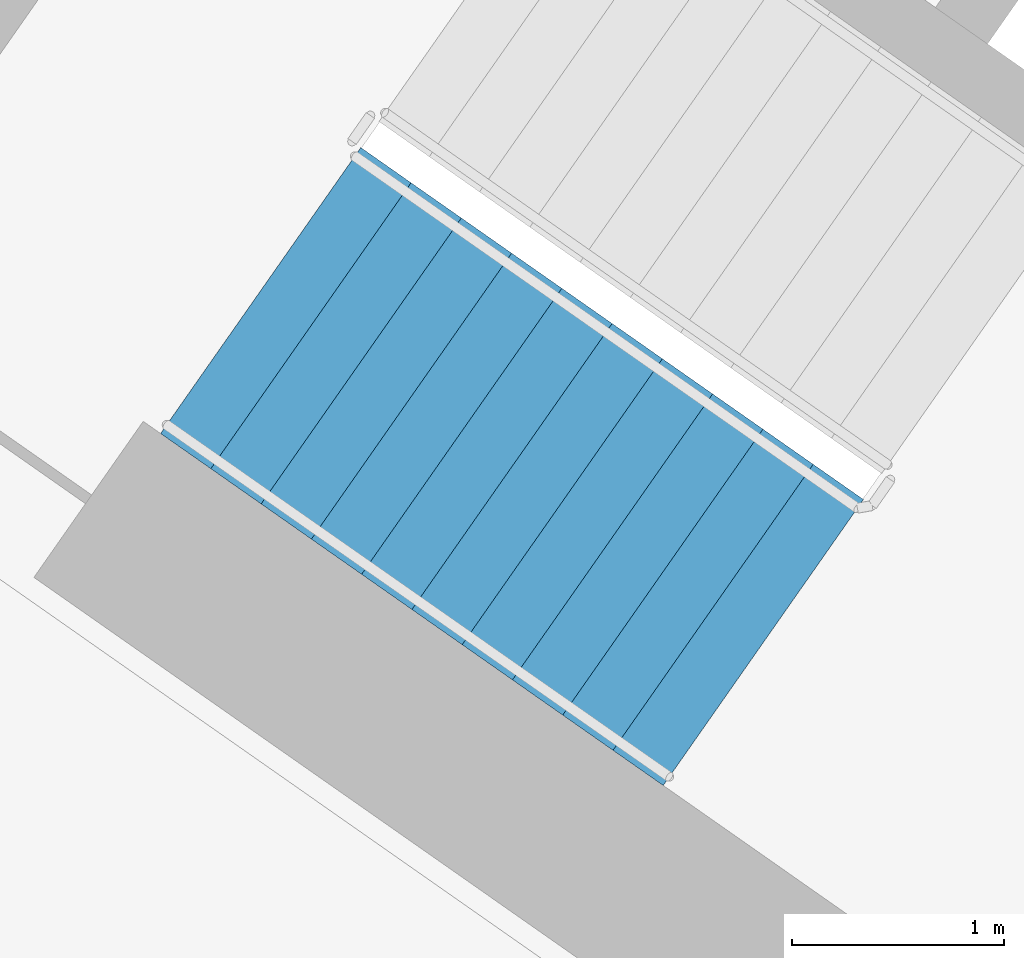
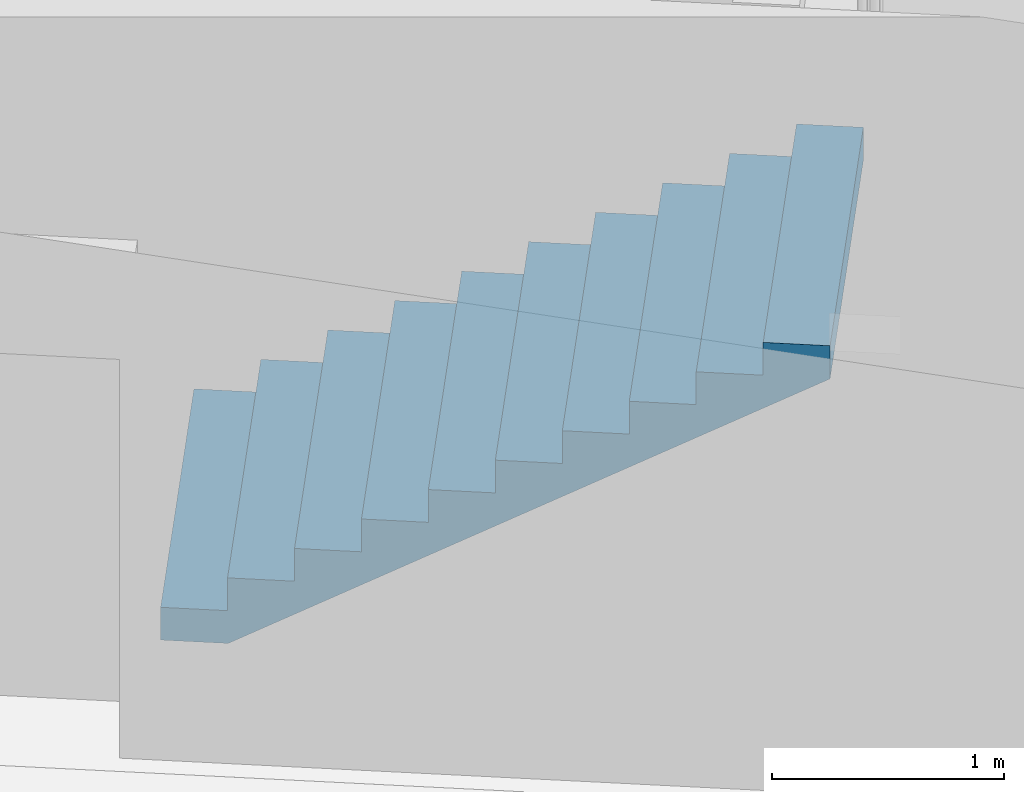
# One storey, part 10 of 30: 1 stair flight, 1 element without a shape of its own.
"""IFC4 building model written with IfcOpenShell, lengths in metres."""

from ifc_helpers import new_model, si_unit, direction, frame, origin, place, context, subcontext, project, spatial, faceted_brep, material, type_object, element, aggregate, save


model = new_model("IFC4")

# Units and contexts
model_context = context("Model", 3, precision=1e-05, world=origin(), true_north=direction((0.0, 1.0)))
body_context = subcontext(model_context, "Body", "Model", "MODEL_VIEW")
ifc_project = project(units=[si_unit("LENGTHUNIT", "METRE"), si_unit("AREAUNIT", "SQUARE_METRE"), si_unit("VOLUMEUNIT", "CUBIC_METRE"), si_unit("PLANEANGLEUNIT", "RADIAN"), si_unit("MASSUNIT", "GRAM", prefix="KILO")], contexts=[model_context])

# Site, building, storey
site_placement = place(None, origin())
site = spatial("IfcSite", under=ifc_project, at=site_placement, CompositionType="ELEMENT")
building_placement = place(site_placement, origin())
building = spatial("IfcBuilding", under=site, at=building_placement, Name="Qamariyya Broadcast Tower", CompositionType="ELEMENT")
storey_placement = place(building_placement, frame((0.0, 0.0, 110.10009765625)))
storey = spatial("IfcBuildingStorey", under=building, at=storey_placement, Name="L24", CompositionType="ELEMENT", Elevation=110.10009765625)

# Stair, stair flight
ifc_material = material(Name="Concrete C50/60", Category="concrete")
stair_type = type_object("IfcStairType", Name="Exit stair 22 risers of 173 mm", PredefinedType="HALF_TURN_STAIR", material=ifc_material)
stair_placement = place(storey_placement, origin())
stair = element("IfcStair", 1, at=stair_placement, inside=storey, type_object=stair_type, Name="L24 Stair W1", PredefinedType="HALF_TURN_STAIR")
stair_flight_type = type_object("IfcStairFlightType", Name="Exit stair flight 11 risers of 173 mm", PredefinedType="STRAIGHT", material=ifc_material)
stair_flight_placement = place(storey_placement, frame((-47.06884765625, -56.982666015625, 0.0), z_axis=(0.0, 0.0, 1.0), x_axis=(0.819152044289, -0.573576436351, 0.0)))
stair_flight = element("IfcStairFlight", 2, at=stair_flight_placement, type_object=stair_flight_type, Name="ST-W1 flight 1", NumberOfRisers=11, NumberOfTreads=10, PredefinedType="STRAIGHT", RiserHeight=0.172727273, TreadLength=0.29, context=body_context, shape_type="Brep", body=[
    faceted_brep([(0.0, 0.824951171875, 0.0), (0.0, 0.824951171875, 0.172607421875), (0.2900390625, 0.824951171875, 0.172607421875), (0.2900390625, 0.824951171875, 0.345458984375), (0.580078125, 0.824951171875, 0.345458984375), (0.580078125, 0.824951171875, 0.51806640625), (0.8701171875, 0.824951171875, 0.51806640625), (0.8701171875, 0.824951171875, 0.69091796875), (1.159912109375, 0.824951171875, 0.69091796875), (1.159912109375, 0.824951171875, 0.863525390625), (1.449951171875, 0.824951171875, 0.863525390625), (1.449951171875, 0.824951171875, 1.036376953125), (1.739990234375, 0.824951171875, 1.036376953125), (1.739990234375, 0.824951171875, 1.208984375), (2.030029296875, 0.824951171875, 1.208984375), (2.030029296875, 0.824951171875, 1.3818359375), (2.320068359375, 0.824951171875, 1.3818359375), (2.320068359375, 0.824951171875, 1.554443359375), (2.610107421875, 0.824951171875, 1.554443359375), (2.610107421875, 0.824951171875, 1.727294921875), (2.89990234375, 0.824951171875, 1.727294921875), (2.89990234375, 0.824951171875, 1.552734375), (0.29296875, 0.824951171875, 0.0), (0.29296875, -0.824951171875, 0.0), (2.89990234375, -0.824951171875, 1.552734375), (2.89990234375, -0.824951171875, 1.727294921875), (2.610107421875, -0.824951171875, 1.727294921875), (2.610107421875, -0.824951171875, 1.554443359375), (2.320068359375, -0.824951171875, 1.554443359375), (2.320068359375, -0.824951171875, 1.3818359375), (2.030029296875, -0.824951171875, 1.3818359375), (2.030029296875, -0.824951171875, 1.208984375), (1.739990234375, -0.824951171875, 1.208984375), (1.739990234375, -0.824951171875, 1.036376953125), (1.449951171875, -0.824951171875, 1.036376953125), (1.449951171875, -0.824951171875, 0.863525390625), (1.159912109375, -0.824951171875, 0.863525390625), (1.159912109375, -0.824951171875, 0.69091796875), (0.8701171875, -0.824951171875, 0.69091796875), (0.8701171875, -0.824951171875, 0.51806640625), (0.580078125, -0.824951171875, 0.51806640625), (0.580078125, -0.824951171875, 0.345458984375), (0.2900390625, -0.824951171875, 0.345458984375), (0.2900390625, -0.824951171875, 0.172607421875), (0.0, -0.824951171875, 0.172607421875), (0.0, -0.824951171875, 0.0), (0.0, 0.10009765625, 0.0), (0.0, 0.086669921875, 0.0), (0.0, 0.0732421875, 0.0), (0.0, 0.06005859375, 0.0), (0.0, 0.046630859375, 0.0), (0.0, 0.033447265625, 0.0), (0.0, 0.02001953125, 0.0), (0.0, 0.006591796875, 0.0), (0.0, -0.006591796875, 0.0), (0.0, -0.02001953125, 0.0), (0.0, -0.033447265625, 0.0), (0.0, -0.046630859375, 0.0), (0.0, -0.06005859375, 0.0), (0.0, -0.0732421875, 0.0), (0.0, -0.086669921875, 0.0), (0.0, -0.10009765625, 0.0), (0.0, -0.10009765625, 0.172607421875), (0.0, -0.086669921875, 0.172607421875), (0.0, -0.0732421875, 0.172607421875), (0.0, -0.06005859375, 0.172607421875), (0.0, -0.046630859375, 0.172607421875), (0.0, -0.033447265625, 0.172607421875), (0.0, -0.02001953125, 0.172607421875), (0.0, -0.006591796875, 0.172607421875), (0.0, 0.006591796875, 0.172607421875), (0.0, 0.02001953125, 0.172607421875), (0.0, 0.033447265625, 0.172607421875), (0.0, 0.046630859375, 0.172607421875), (0.0, 0.06005859375, 0.172607421875), (0.0, 0.0732421875, 0.172607421875), (0.0, 0.086669921875, 0.172607421875), (0.0, 0.10009765625, 0.172607421875), (0.2900390625, -0.10009765625, 0.172607421875), (0.2900390625, -0.086669921875, 0.172607421875), (0.2900390625, -0.0732421875, 0.172607421875), (0.2900390625, -0.06005859375, 0.172607421875), (0.2900390625, -0.046630859375, 0.172607421875), (0.2900390625, -0.033447265625, 0.172607421875), (0.2900390625, -0.02001953125, 0.172607421875), (0.2900390625, -0.006591796875, 0.172607421875), (0.2900390625, 0.006591796875, 0.172607421875), (0.2900390625, 0.02001953125, 0.172607421875), (0.2900390625, 0.033447265625, 0.172607421875), (0.2900390625, 0.046630859375, 0.172607421875), (0.2900390625, 0.06005859375, 0.172607421875), (0.2900390625, 0.0732421875, 0.172607421875), (0.2900390625, 0.086669921875, 0.172607421875), (0.2900390625, 0.10009765625, 0.172607421875), (0.2900390625, -0.10009765625, 0.345458984375), (0.2900390625, -0.086669921875, 0.345458984375), (0.2900390625, -0.0732421875, 0.345458984375), (0.2900390625, -0.06005859375, 0.345458984375), (0.2900390625, -0.046630859375, 0.345458984375), (0.2900390625, -0.033447265625, 0.345458984375), (0.2900390625, -0.02001953125, 0.345458984375), (0.2900390625, -0.006591796875, 0.345458984375), (0.2900390625, 0.006591796875, 0.345458984375), (0.2900390625, 0.02001953125, 0.345458984375), (0.2900390625, 0.033447265625, 0.345458984375), (0.2900390625, 0.046630859375, 0.345458984375), (0.2900390625, 0.06005859375, 0.345458984375), (0.2900390625, 0.0732421875, 0.345458984375), (0.2900390625, 0.086669921875, 0.345458984375), (0.2900390625, 0.10009765625, 0.345458984375), (0.580078125, -0.10009765625, 0.345458984375), (0.580078125, -0.086669921875, 0.345458984375), (0.580078125, -0.0732421875, 0.345458984375), (0.580078125, -0.06005859375, 0.345458984375), (0.580078125, -0.046630859375, 0.345458984375), (0.580078125, -0.033447265625, 0.345458984375), (0.580078125, -0.02001953125, 0.345458984375), (0.580078125, -0.006591796875, 0.345458984375), (0.580078125, 0.006591796875, 0.345458984375), (0.580078125, 0.02001953125, 0.345458984375), (0.580078125, 0.033447265625, 0.345458984375), (0.580078125, 0.046630859375, 0.345458984375), (0.580078125, 0.06005859375, 0.345458984375), (0.580078125, 0.0732421875, 0.345458984375), (0.580078125, 0.086669921875, 0.345458984375), (0.580078125, 0.10009765625, 0.345458984375), (0.580078125, -0.10009765625, 0.51806640625), (0.580078125, -0.086669921875, 0.51806640625), (0.580078125, -0.0732421875, 0.51806640625), (0.580078125, -0.06005859375, 0.51806640625), (0.580078125, -0.046630859375, 0.51806640625), (0.580078125, -0.033447265625, 0.51806640625), (0.580078125, -0.02001953125, 0.51806640625), (0.580078125, -0.006591796875, 0.51806640625), (0.580078125, 0.006591796875, 0.51806640625), (0.580078125, 0.02001953125, 0.51806640625), (0.580078125, 0.033447265625, 0.51806640625), (0.580078125, 0.046630859375, 0.51806640625), (0.580078125, 0.06005859375, 0.51806640625), (0.580078125, 0.0732421875, 0.51806640625), (0.580078125, 0.086669921875, 0.51806640625), (0.580078125, 0.10009765625, 0.51806640625), (0.8701171875, -0.10009765625, 0.51806640625), (0.8701171875, -0.086669921875, 0.51806640625), (0.8701171875, -0.0732421875, 0.51806640625), (0.8701171875, -0.06005859375, 0.51806640625), (0.8701171875, -0.046630859375, 0.51806640625), (0.8701171875, -0.033447265625, 0.51806640625), (0.8701171875, -0.02001953125, 0.51806640625), (0.8701171875, -0.006591796875, 0.51806640625), (0.8701171875, 0.006591796875, 0.51806640625), (0.8701171875, 0.02001953125, 0.51806640625), (0.8701171875, 0.033447265625, 0.51806640625), (0.8701171875, 0.046630859375, 0.51806640625), (0.8701171875, 0.06005859375, 0.51806640625), (0.8701171875, 0.0732421875, 0.51806640625), (0.8701171875, 0.086669921875, 0.51806640625), (0.8701171875, 0.10009765625, 0.51806640625), (0.8701171875, -0.10009765625, 0.69091796875), (0.8701171875, -0.086669921875, 0.69091796875), (0.8701171875, -0.0732421875, 0.69091796875), (0.8701171875, -0.06005859375, 0.69091796875), (0.8701171875, -0.046630859375, 0.69091796875), (0.8701171875, -0.033447265625, 0.69091796875), (0.8701171875, -0.02001953125, 0.69091796875), (0.8701171875, -0.006591796875, 0.69091796875), (0.8701171875, 0.006591796875, 0.69091796875), (0.8701171875, 0.02001953125, 0.69091796875), (0.8701171875, 0.033447265625, 0.69091796875), (0.8701171875, 0.046630859375, 0.69091796875), (0.8701171875, 0.06005859375, 0.69091796875), (0.8701171875, 0.0732421875, 0.69091796875), (0.8701171875, 0.086669921875, 0.69091796875), (0.8701171875, 0.10009765625, 0.69091796875), (1.159912109375, -0.10009765625, 0.69091796875), (1.159912109375, -0.086669921875, 0.69091796875), (1.159912109375, -0.0732421875, 0.69091796875), (1.159912109375, -0.06005859375, 0.69091796875), (1.159912109375, -0.046630859375, 0.69091796875), (1.159912109375, -0.033447265625, 0.69091796875), (1.159912109375, -0.02001953125, 0.69091796875), (1.159912109375, -0.006591796875, 0.69091796875), (1.159912109375, 0.006591796875, 0.69091796875), (1.159912109375, 0.02001953125, 0.69091796875), (1.159912109375, 0.033447265625, 0.69091796875), (1.159912109375, 0.046630859375, 0.69091796875), (1.159912109375, 0.06005859375, 0.69091796875), (1.159912109375, 0.0732421875, 0.69091796875), (1.159912109375, 0.086669921875, 0.69091796875), (1.159912109375, 0.10009765625, 0.69091796875), (1.159912109375, -0.10009765625, 0.863525390625), (1.159912109375, -0.086669921875, 0.863525390625), (1.159912109375, -0.0732421875, 0.863525390625), (1.159912109375, -0.06005859375, 0.863525390625), (1.159912109375, -0.046630859375, 0.863525390625), (1.159912109375, -0.033447265625, 0.863525390625), (1.159912109375, -0.02001953125, 0.863525390625), (1.159912109375, -0.006591796875, 0.863525390625), (1.159912109375, 0.006591796875, 0.863525390625), (1.159912109375, 0.02001953125, 0.863525390625), (1.159912109375, 0.033447265625, 0.863525390625), (1.159912109375, 0.046630859375, 0.863525390625), (1.159912109375, 0.06005859375, 0.863525390625), (1.159912109375, 0.0732421875, 0.863525390625), (1.159912109375, 0.086669921875, 0.863525390625), (1.159912109375, 0.10009765625, 0.863525390625), (1.449951171875, -0.10009765625, 0.863525390625), (1.449951171875, -0.086669921875, 0.863525390625), (1.449951171875, -0.0732421875, 0.863525390625), (1.449951171875, -0.06005859375, 0.863525390625), (1.449951171875, -0.046630859375, 0.863525390625), (1.449951171875, -0.033447265625, 0.863525390625), (1.449951171875, -0.02001953125, 0.863525390625), (1.449951171875, -0.006591796875, 0.863525390625), (1.449951171875, 0.006591796875, 0.863525390625), (1.449951171875, 0.02001953125, 0.863525390625), (1.449951171875, 0.033447265625, 0.863525390625), (1.449951171875, 0.046630859375, 0.863525390625), (1.449951171875, 0.06005859375, 0.863525390625), (1.449951171875, 0.0732421875, 0.863525390625), (1.449951171875, 0.086669921875, 0.863525390625), (1.449951171875, 0.10009765625, 0.863525390625), (1.449951171875, -0.10009765625, 1.036376953125), (1.449951171875, -0.086669921875, 1.036376953125), (1.449951171875, -0.0732421875, 1.036376953125), (1.449951171875, -0.06005859375, 1.036376953125), (1.449951171875, -0.046630859375, 1.036376953125), (1.449951171875, -0.033447265625, 1.036376953125), (1.449951171875, -0.02001953125, 1.036376953125), (1.449951171875, -0.006591796875, 1.036376953125), (1.449951171875, 0.006591796875, 1.036376953125), (1.449951171875, 0.02001953125, 1.036376953125), (1.449951171875, 0.033447265625, 1.036376953125), (1.449951171875, 0.046630859375, 1.036376953125), (1.449951171875, 0.06005859375, 1.036376953125), (1.449951171875, 0.0732421875, 1.036376953125), (1.449951171875, 0.086669921875, 1.036376953125), (1.449951171875, 0.10009765625, 1.036376953125), (1.739990234375, -0.10009765625, 1.036376953125), (1.739990234375, -0.086669921875, 1.036376953125), (1.739990234375, -0.0732421875, 1.036376953125), (1.739990234375, -0.06005859375, 1.036376953125), (1.739990234375, -0.046630859375, 1.036376953125), (1.739990234375, -0.033447265625, 1.036376953125), (1.739990234375, -0.02001953125, 1.036376953125), (1.739990234375, -0.006591796875, 1.036376953125), (1.739990234375, 0.006591796875, 1.036376953125), (1.739990234375, 0.02001953125, 1.036376953125), (1.739990234375, 0.033447265625, 1.036376953125), (1.739990234375, 0.046630859375, 1.036376953125), (1.739990234375, 0.06005859375, 1.036376953125), (1.739990234375, 0.0732421875, 1.036376953125), (1.739990234375, 0.086669921875, 1.036376953125), (1.739990234375, 0.10009765625, 1.036376953125), (1.739990234375, -0.10009765625, 1.208984375), (1.739990234375, -0.086669921875, 1.208984375), (1.739990234375, -0.0732421875, 1.208984375), (1.739990234375, -0.06005859375, 1.208984375), (1.739990234375, -0.046630859375, 1.208984375), (1.739990234375, -0.033447265625, 1.208984375), (1.739990234375, -0.02001953125, 1.208984375), (1.739990234375, -0.006591796875, 1.208984375), (1.739990234375, 0.006591796875, 1.208984375), (1.739990234375, 0.02001953125, 1.208984375), (1.739990234375, 0.033447265625, 1.208984375), (1.739990234375, 0.046630859375, 1.208984375), (1.739990234375, 0.06005859375, 1.208984375), (1.739990234375, 0.0732421875, 1.208984375), (1.739990234375, 0.086669921875, 1.208984375), (1.739990234375, 0.10009765625, 1.208984375), (2.030029296875, -0.10009765625, 1.208984375), (2.030029296875, -0.086669921875, 1.208984375), (2.030029296875, -0.0732421875, 1.208984375), (2.030029296875, -0.06005859375, 1.208984375), (2.030029296875, -0.046630859375, 1.208984375), (2.030029296875, -0.033447265625, 1.208984375), (2.030029296875, -0.02001953125, 1.208984375), (2.030029296875, -0.006591796875, 1.208984375), (2.030029296875, 0.006591796875, 1.208984375), (2.030029296875, 0.02001953125, 1.208984375), (2.030029296875, 0.033447265625, 1.208984375), (2.030029296875, 0.046630859375, 1.208984375), (2.030029296875, 0.06005859375, 1.208984375), (2.030029296875, 0.0732421875, 1.208984375), (2.030029296875, 0.086669921875, 1.208984375), (2.030029296875, 0.10009765625, 1.208984375), (2.030029296875, -0.10009765625, 1.3818359375), (2.030029296875, -0.086669921875, 1.3818359375), (2.030029296875, -0.0732421875, 1.3818359375), (2.030029296875, -0.06005859375, 1.3818359375), (2.030029296875, -0.046630859375, 1.3818359375), (2.030029296875, -0.033447265625, 1.3818359375), (2.030029296875, -0.02001953125, 1.3818359375), (2.030029296875, -0.006591796875, 1.3818359375), (2.030029296875, 0.006591796875, 1.3818359375), (2.030029296875, 0.02001953125, 1.3818359375), (2.030029296875, 0.033447265625, 1.3818359375), (2.030029296875, 0.046630859375, 1.3818359375), (2.030029296875, 0.06005859375, 1.3818359375), (2.030029296875, 0.0732421875, 1.3818359375), (2.030029296875, 0.086669921875, 1.3818359375), (2.030029296875, 0.10009765625, 1.3818359375), (2.320068359375, -0.10009765625, 1.3818359375), (2.320068359375, -0.086669921875, 1.3818359375), (2.320068359375, -0.0732421875, 1.3818359375), (2.320068359375, -0.06005859375, 1.3818359375), (2.320068359375, -0.046630859375, 1.3818359375), (2.320068359375, -0.033447265625, 1.3818359375), (2.320068359375, -0.02001953125, 1.3818359375), (2.320068359375, -0.006591796875, 1.3818359375), (2.320068359375, 0.006591796875, 1.3818359375), (2.320068359375, 0.02001953125, 1.3818359375), (2.320068359375, 0.033447265625, 1.3818359375), (2.320068359375, 0.046630859375, 1.3818359375), (2.320068359375, 0.06005859375, 1.3818359375), (2.320068359375, 0.0732421875, 1.3818359375), (2.320068359375, 0.086669921875, 1.3818359375), (2.320068359375, 0.10009765625, 1.3818359375), (2.320068359375, -0.10009765625, 1.554443359375), (2.320068359375, -0.086669921875, 1.554443359375), (2.320068359375, -0.0732421875, 1.554443359375), (2.320068359375, -0.06005859375, 1.554443359375), (2.320068359375, -0.046630859375, 1.554443359375), (2.320068359375, -0.033447265625, 1.554443359375), (2.320068359375, -0.02001953125, 1.554443359375), (2.320068359375, -0.006591796875, 1.554443359375), (2.320068359375, 0.006591796875, 1.554443359375), (2.320068359375, 0.02001953125, 1.554443359375), (2.320068359375, 0.033447265625, 1.554443359375), (2.320068359375, 0.046630859375, 1.554443359375), (2.320068359375, 0.06005859375, 1.554443359375), (2.320068359375, 0.0732421875, 1.554443359375), (2.320068359375, 0.086669921875, 1.554443359375), (2.320068359375, 0.10009765625, 1.554443359375), (2.610107421875, -0.10009765625, 1.554443359375), (2.610107421875, -0.086669921875, 1.554443359375), (2.610107421875, -0.0732421875, 1.554443359375), (2.610107421875, -0.06005859375, 1.554443359375), (2.610107421875, -0.046630859375, 1.554443359375), (2.610107421875, -0.033447265625, 1.554443359375), (2.610107421875, -0.02001953125, 1.554443359375), (2.610107421875, -0.006591796875, 1.554443359375), (2.610107421875, 0.006591796875, 1.554443359375), (2.610107421875, 0.02001953125, 1.554443359375), (2.610107421875, 0.033447265625, 1.554443359375), (2.610107421875, 0.046630859375, 1.554443359375), (2.610107421875, 0.06005859375, 1.554443359375), (2.610107421875, 0.0732421875, 1.554443359375), (2.610107421875, 0.086669921875, 1.554443359375), (2.610107421875, 0.10009765625, 1.554443359375), (2.610107421875, -0.10009765625, 1.727294921875), (2.610107421875, -0.086669921875, 1.727294921875), (2.610107421875, -0.0732421875, 1.727294921875), (2.610107421875, -0.06005859375, 1.727294921875), (2.610107421875, -0.046630859375, 1.727294921875), (2.610107421875, -0.033447265625, 1.727294921875), (2.610107421875, -0.02001953125, 1.727294921875), (2.610107421875, -0.006591796875, 1.727294921875), (2.610107421875, 0.006591796875, 1.727294921875), (2.610107421875, 0.02001953125, 1.727294921875), (2.610107421875, 0.033447265625, 1.727294921875), (2.610107421875, 0.046630859375, 1.727294921875), (2.610107421875, 0.06005859375, 1.727294921875), (2.610107421875, 0.0732421875, 1.727294921875), (2.610107421875, 0.086669921875, 1.727294921875), (2.610107421875, 0.10009765625, 1.727294921875), (2.89990234375, -0.10009765625, 1.727294921875), (2.89990234375, -0.086669921875, 1.727294921875), (2.89990234375, -0.0732421875, 1.727294921875), (2.89990234375, -0.06005859375, 1.727294921875), (2.89990234375, -0.046630859375, 1.727294921875), (2.89990234375, -0.033447265625, 1.727294921875), (2.89990234375, -0.02001953125, 1.727294921875), (2.89990234375, -0.006591796875, 1.727294921875), (2.89990234375, 0.006591796875, 1.727294921875), (2.89990234375, 0.02001953125, 1.727294921875), (2.89990234375, 0.033447265625, 1.727294921875), (2.89990234375, 0.046630859375, 1.727294921875), (2.89990234375, 0.06005859375, 1.727294921875), (2.89990234375, 0.0732421875, 1.727294921875), (2.89990234375, 0.086669921875, 1.727294921875), (2.89990234375, 0.10009765625, 1.727294921875), (2.89990234375, -0.10009765625, 1.552734375), (2.89990234375, -0.086669921875, 1.552734375), (2.89990234375, -0.0732421875, 1.552734375), (2.89990234375, -0.06005859375, 1.552734375), (2.89990234375, -0.046630859375, 1.552734375), (2.89990234375, -0.033447265625, 1.552734375), (2.89990234375, -0.02001953125, 1.552734375), (2.89990234375, -0.006591796875, 1.552734375), (2.89990234375, 0.006591796875, 1.552734375), (2.89990234375, 0.02001953125, 1.552734375), (2.89990234375, 0.033447265625, 1.552734375), (2.89990234375, 0.046630859375, 1.552734375), (2.89990234375, 0.06005859375, 1.552734375), (2.89990234375, 0.0732421875, 1.552734375), (2.89990234375, 0.086669921875, 1.552734375), (2.89990234375, 0.10009765625, 1.552734375), (0.29296875, -0.10009765625, 0.0), (0.29296875, -0.086669921875, 0.0), (0.29296875, -0.0732421875, 0.0), (0.29296875, -0.06005859375, 0.0), (0.29296875, -0.046630859375, 0.0), (0.29296875, -0.033447265625, 0.0), (0.29296875, -0.02001953125, 0.0), (0.29296875, -0.006591796875, 0.0), (0.29296875, 0.006591796875, 0.0), (0.29296875, 0.02001953125, 0.0), (0.29296875, 0.033447265625, 0.0), (0.29296875, 0.046630859375, 0.0), (0.29296875, 0.06005859375, 0.0), (0.29296875, 0.0732421875, 0.0), (0.29296875, 0.086669921875, 0.0), (0.29296875, 0.10009765625, 0.0)], [[[0, 1, 2, 3, 4, 5, 6, 7, 8, 9, 10, 11, 12, 13, 14, 15, 16, 17, 18, 19, 20, 21, 22]], [[23, 24, 25, 26, 27, 28, 29, 30, 31, 32, 33, 34, 35, 36, 37, 38, 39, 40, 41, 42, 43, 44, 45]], [[0, 46, 47, 48, 49, 50, 51, 52, 53, 54, 55, 56, 57, 58, 59, 60, 61, 45, 44, 62, 63, 64, 65, 66, 67, 68, 69, 70, 71, 72, 73, 74, 75, 76, 77, 1]], [[1, 77, 76, 75, 74, 73, 72, 71, 70, 69, 68, 67, 66, 65, 64, 63, 62, 44, 43, 78, 79, 80, 81, 82, 83, 84, 85, 86, 87, 88, 89, 90, 91, 92, 93, 2]], [[2, 93, 92, 91, 90, 89, 88, 87, 86, 85, 84, 83, 82, 81, 80, 79, 78, 43, 42, 94, 95, 96, 97, 98, 99, 100, 101, 102, 103, 104, 105, 106, 107, 108, 109, 3]], [[3, 109, 108, 107, 106, 105, 104, 103, 102, 101, 100, 99, 98, 97, 96, 95, 94, 42, 41, 110, 111, 112, 113, 114, 115, 116, 117, 118, 119, 120, 121, 122, 123, 124, 125, 4]], [[4, 125, 124, 123, 122, 121, 120, 119, 118, 117, 116, 115, 114, 113, 112, 111, 110, 41, 40, 126, 127, 128, 129, 130, 131, 132, 133, 134, 135, 136, 137, 138, 139, 140, 141, 5]], [[5, 141, 140, 139, 138, 137, 136, 135, 134, 133, 132, 131, 130, 129, 128, 127, 126, 40, 39, 142, 143, 144, 145, 146, 147, 148, 149, 150, 151, 152, 153, 154, 155, 156, 157, 6]], [[6, 157, 156, 155, 154, 153, 152, 151, 150, 149, 148, 147, 146, 145, 144, 143, 142, 39, 38, 158, 159, 160, 161, 162, 163, 164, 165, 166, 167, 168, 169, 170, 171, 172, 173, 7]], [[7, 173, 172, 171, 170, 169, 168, 167, 166, 165, 164, 163, 162, 161, 160, 159, 158, 38, 37, 174, 175, 176, 177, 178, 179, 180, 181, 182, 183, 184, 185, 186, 187, 188, 189, 8]], [[8, 189, 188, 187, 186, 185, 184, 183, 182, 181, 180, 179, 178, 177, 176, 175, 174, 37, 36, 190, 191, 192, 193, 194, 195, 196, 197, 198, 199, 200, 201, 202, 203, 204, 205, 9]], [[9, 205, 204, 203, 202, 201, 200, 199, 198, 197, 196, 195, 194, 193, 192, 191, 190, 36, 35, 206, 207, 208, 209, 210, 211, 212, 213, 214, 215, 216, 217, 218, 219, 220, 221, 10]], [[10, 221, 220, 219, 218, 217, 216, 215, 214, 213, 212, 211, 210, 209, 208, 207, 206, 35, 34, 222, 223, 224, 225, 226, 227, 228, 229, 230, 231, 232, 233, 234, 235, 236, 237, 11]], [[11, 237, 236, 235, 234, 233, 232, 231, 230, 229, 228, 227, 226, 225, 224, 223, 222, 34, 33, 238, 239, 240, 241, 242, 243, 244, 245, 246, 247, 248, 249, 250, 251, 252, 253, 12]], [[12, 253, 252, 251, 250, 249, 248, 247, 246, 245, 244, 243, 242, 241, 240, 239, 238, 33, 32, 254, 255, 256, 257, 258, 259, 260, 261, 262, 263, 264, 265, 266, 267, 268, 269, 13]], [[13, 269, 268, 267, 266, 265, 264, 263, 262, 261, 260, 259, 258, 257, 256, 255, 254, 32, 31, 270, 271, 272, 273, 274, 275, 276, 277, 278, 279, 280, 281, 282, 283, 284, 285, 14]], [[14, 285, 284, 283, 282, 281, 280, 279, 278, 277, 276, 275, 274, 273, 272, 271, 270, 31, 30, 286, 287, 288, 289, 290, 291, 292, 293, 294, 295, 296, 297, 298, 299, 300, 301, 15]], [[15, 301, 300, 299, 298, 297, 296, 295, 294, 293, 292, 291, 290, 289, 288, 287, 286, 30, 29, 302, 303, 304, 305, 306, 307, 308, 309, 310, 311, 312, 313, 314, 315, 316, 317, 16]], [[16, 317, 316, 315, 314, 313, 312, 311, 310, 309, 308, 307, 306, 305, 304, 303, 302, 29, 28, 318, 319, 320, 321, 322, 323, 324, 325, 326, 327, 328, 329, 330, 331, 332, 333, 17]], [[17, 333, 332, 331, 330, 329, 328, 327, 326, 325, 324, 323, 322, 321, 320, 319, 318, 28, 27, 334, 335, 336, 337, 338, 339, 340, 341, 342, 343, 344, 345, 346, 347, 348, 349, 18]], [[18, 349, 348, 347, 346, 345, 344, 343, 342, 341, 340, 339, 338, 337, 336, 335, 334, 27, 26, 350, 351, 352, 353, 354, 355, 356, 357, 358, 359, 360, 361, 362, 363, 364, 365, 19]], [[19, 365, 364, 363, 362, 361, 360, 359, 358, 357, 356, 355, 354, 353, 352, 351, 350, 26, 25, 366, 367, 368, 369, 370, 371, 372, 373, 374, 375, 376, 377, 378, 379, 380, 381, 20]], [[20, 381, 380, 379, 378, 377, 376, 375, 374, 373, 372, 371, 370, 369, 368, 367, 366, 25, 24, 382, 383, 384, 385, 386, 387, 388, 389, 390, 391, 392, 393, 394, 395, 396, 397, 21]], [[21, 397, 396, 395, 394, 393, 392, 391, 390, 389, 388, 387, 386, 385, 384, 383, 382, 24, 23, 398, 399, 400, 401, 402, 403, 404, 405, 406, 407, 408, 409, 410, 411, 412, 413, 22]], [[22, 413, 412, 411, 410, 409, 408, 407, 406, 405, 404, 403, 402, 401, 400, 399, 398, 23, 45, 61, 60, 59, 58, 57, 56, 55, 54, 53, 52, 51, 50, 49, 48, 47, 46, 0]]]),
])
aggregate(stair, [stair_flight])

save(model, "model.ifc")
